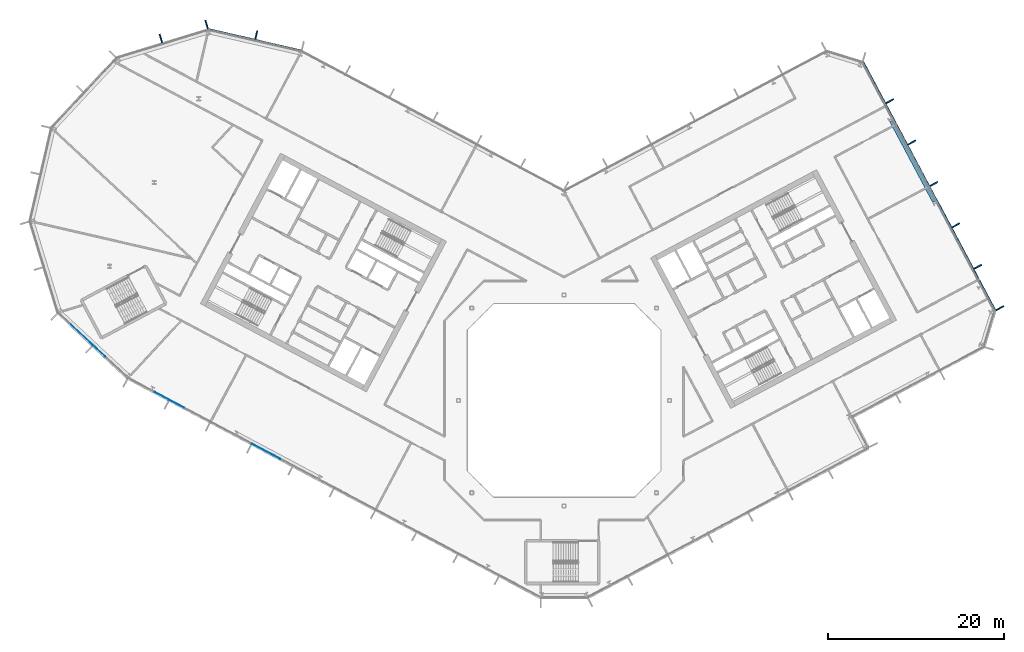
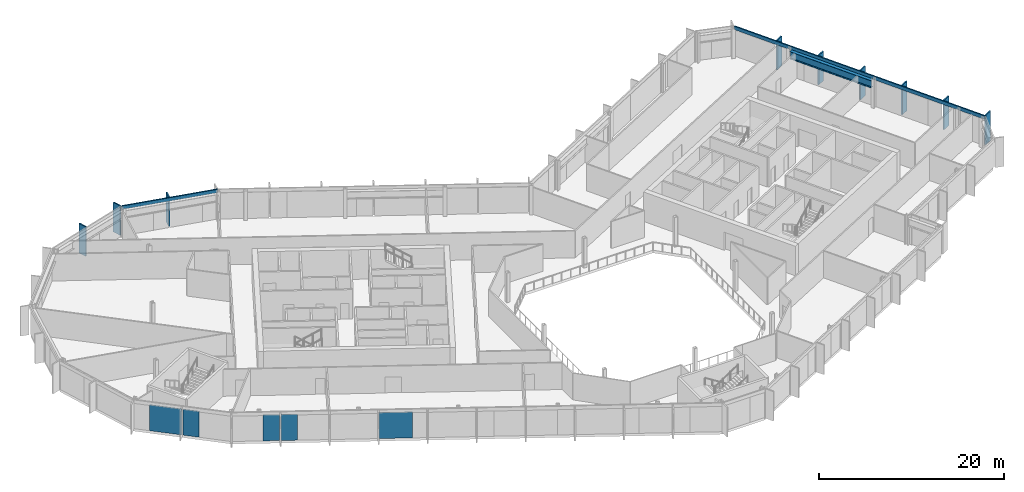
# One storey, part 10 of 26: 11 members, 5 plates, 1 beam, 5 elements without a shape of their own.
"""IFC4 building model written with IfcOpenShell, lengths in metres."""

import ifcopenshell
import ifcopenshell.guid

model = None  # the IFC model being written
_history = None  # IfcOwnerHistory: only IFC2X3 demands one
_inside = {}  # id of a spatial element -> (the spatial element, [elements in it])
_under = {}  # id of a project, library or spatial element -> (it, [spatial elements below it])
_declared = {}  # id of a project -> (the project, [libraries it declares])
_typed = {}  # id of a type object -> (the type object, [elements of that type])
_made_of = {}  # id of a material, layer set ... -> (it, [elements and type objects made of it])


def new_model(schema):
    """Start an empty IFC model of exactly this schema.

    Asked for "IFC4X3", IfcOpenShell would pick the latest addendum, in which some entities
    have other attributes; the version numbers below select the first issue.
    IFC2X3 requires an IfcOwnerHistory on every rooted entity: one is made here for all.
    """
    global model, _history
    if schema == "IFC4X3":
        model = ifcopenshell.file(schema_version=(4, 3, 0, 0))
    else:
        model = ifcopenshell.file(schema=schema)
    _inside.clear()
    _under.clear()
    _declared.clear()
    _typed.clear()
    _made_of.clear()
    _history = None
    if model.schema == "IFC2X3":
        org = make("IfcOrganization", Name="unknown")
        user = make(
            "IfcPersonAndOrganization",
            ThePerson=make("IfcPerson", FamilyName="unknown"),
            TheOrganization=org,
        )
        app = make(
            "IfcApplication",
            ApplicationDeveloper=org,
            Version="unknown",
            ApplicationFullName="unknown",
            ApplicationIdentifier="unknown",
        )
        _history = make(
            "IfcOwnerHistory",
            OwningUser=user,
            OwningApplication=app,
            ChangeAction="ADDED",
            CreationDate=0,
        )
    return model


def make(cls, **values):
    """One entity of the class cls with the attributes given. An attribute that is None is left unset."""
    return model.create_entity(
        cls, **{name: value for name, value in values.items() if value is not None}
    )


def rooted(cls, **values):
    """An entity with a GlobalId (a new one), such as an element, a storey or a relation."""
    return make(cls, GlobalId=ifcopenshell.guid.new(), OwnerHistory=_history, **values)


def si_unit(unit_type, name, prefix=None):
    """IfcSIUnit, for example si_unit("LENGTHUNIT", "METRE", prefix="MILLI")."""
    return make("IfcSIUnit", UnitType=unit_type, Prefix=prefix, Name=name)


def assignment(units):
    """IfcUnitAssignment: the units of a project."""
    return None if units is None else make("IfcUnitAssignment", Units=units)


def point(xyz):
    """IfcCartesianPoint."""
    return None if xyz is None else make("IfcCartesianPoint", Coordinates=xyz)


def direction(xyz):
    """IfcDirection."""
    return None if xyz is None else make("IfcDirection", DirectionRatios=xyz)


def frame(location, z_axis=None, x_axis=None):
    """IfcAxis2Placement3D, a coordinate frame: its origin and axes. An axis left out is left unset."""
    return make(
        "IfcAxis2Placement3D",
        Location=point(location),
        Axis=direction(z_axis),
        RefDirection=direction(x_axis),
    )


def frame_2d(location, x_axis=None):
    """IfcAxis2Placement2D, a coordinate frame in the plane: its origin and x axis."""
    return make(
        "IfcAxis2Placement2D", Location=point(location), RefDirection=direction(x_axis)
    )


def origin():
    """The frame at (0, 0, 0) with its axes left unset."""
    return frame((0.0, 0.0, 0.0))


def origin_2d():
    """The frame at (0, 0) in the plane with its x axis left unset."""
    return frame_2d((0.0, 0.0))


def place(relative_to, where):
    """IfcLocalPlacement: puts the frame where relative to a parent placement (None: the world)."""
    return make(
        "IfcLocalPlacement", PlacementRelTo=relative_to, RelativePlacement=where
    )


def context(
    kind, dimensions, precision=None, world=None, true_north=None, identifier=None
):
    """IfcGeometricRepresentationContext, for example the 3D "Model" context."""
    return make(
        "IfcGeometricRepresentationContext",
        ContextIdentifier=identifier,
        ContextType=kind,
        CoordinateSpaceDimension=dimensions,
        Precision=precision,
        WorldCoordinateSystem=world,
        TrueNorth=true_north,
    )


def subcontext(parent, identifier, kind, view, scale=None):
    """IfcGeometricRepresentationSubContext, for example "Body" below "Model"."""
    return make(
        "IfcGeometricRepresentationSubContext",
        ContextIdentifier=identifier,
        ContextType=kind,
        ParentContext=parent,
        TargetScale=scale,
        TargetView=view,
    )


def project(units=None, contexts=None):
    """IfcProject with its units and contexts."""
    return rooted(
        "IfcProject",
        Name="project",
        RepresentationContexts=contexts,
        UnitsInContext=assignment(units),
    )


def spatial(cls, under=None, at=None, **own):
    """A site, building, storey or space (cls), placed at a placement, below another one or the project."""
    s = rooted(cls, ObjectPlacement=at, **own)
    if under is not None:
        _under.setdefault(under.id(), (under, []))[1].append(s)
    return s


def profile(cls, at=None, kind="AREA", **sizes):
    """A parametric profile (cls). Its sizes go by their IFC names, for example OverallWidth=200.0."""
    return make(cls, ProfileType=kind, Position=at, **sizes)


def rectangle(**sizes):
    """IfcRectangleProfileDef."""
    return profile("IfcRectangleProfileDef", **sizes)


def i_section(**sizes):
    """IfcIShapeProfileDef."""
    return profile("IfcIShapeProfileDef", **sizes)


def extrude(swept, where, along, depth):
    """IfcExtrudedAreaSolid: the profile swept, set in the frame where, extruded along a direction by depth."""
    return make(
        "IfcExtrudedAreaSolid",
        SweptArea=swept,
        Position=where,
        ExtrudedDirection=direction(along),
        Depth=depth,
    )


def shape(context_of_items, identifier, shape_type, items):
    """IfcShapeRepresentation: the items that make up one representation, for example the "Body"."""
    return make(
        "IfcShapeRepresentation",
        ContextOfItems=context_of_items,
        RepresentationIdentifier=identifier,
        RepresentationType=shape_type,
        Items=items,
    )


def material(Name=None, Category=None):
    """IfcMaterial."""
    return make("IfcMaterial", Name=Name, Category=Category)


def layer(
    of_material, thickness, ventilated=None, Name=None, Category=None, Priority=None
):
    """IfcMaterialLayer: one layer of a wall or slab, of a material (None: an air gap)."""
    return make(
        "IfcMaterialLayer",
        Material=of_material,
        LayerThickness=thickness,
        IsVentilated=ventilated,
        Name=Name,
        Category=Category,
        Priority=Priority,
    )


def layer_set(layers, Name=None):
    """IfcMaterialLayerSet."""
    return make("IfcMaterialLayerSet", MaterialLayers=layers, LayerSetName=Name)


def material_profile(
    of_material, cross_section, Name=None, Category=None, Priority=None
):
    """IfcMaterialProfile: a cross section and its material."""
    return make(
        "IfcMaterialProfile",
        Name=Name,
        Material=of_material,
        Profile=cross_section,
        Priority=Priority,
        Category=Category,
    )


def profile_set(profiles, Name=None, composite=None):
    """IfcMaterialProfileSet."""
    return make(
        "IfcMaterialProfileSet",
        Name=Name,
        MaterialProfiles=profiles,
        CompositeProfile=composite,
    )


def made_of(thing, what):
    """Note that an element or type object is made of a material, layer set ...; save() writes the relation."""
    if what is not None:
        _made_of.setdefault(what.id(), (what, []))[1].append(thing)
    return thing


def type_object(cls, material=None, **own):
    """A type object (cls), such as IfcWallType, which elements share."""
    return made_of(rooted(cls, **own), material)


def element(
    cls,
    number,
    at=None,
    inside=None,
    cuts=None,
    type_object=None,
    material=None,
    context=None,
    identifier="Body",
    shape_type=None,
    held_by="IfcProductDefinitionShape",
    body=None,
    shapes=None,
    **own,
):
    """One element of the class cls, such as IfcWall. Its Tag is "e" and its number.

    at: its placement. inside: the storey or other place that contains it. cuts: it is an
    opening in that element (IfcRelVoidsElement). A single representation is given by context,
    identifier, shape_type and body (its items); several are given by shapes. held_by: the class
    of the entity that holds the representations. save() writes the other relations.
    """
    e = rooted(cls, Tag="e%d" % number, ObjectPlacement=at, **own)
    if body is not None:
        shapes = [shape(context, identifier, shape_type, body)]
    if shapes is not None:
        e.Representation = make(held_by, Representations=shapes)
    if inside is not None:
        _inside.setdefault(inside.id(), (inside, []))[1].append(e)
    if cuts is not None:
        rooted(
            "IfcRelVoidsElement", RelatingBuildingElement=cuts, RelatedOpeningElement=e
        )
    if type_object is not None:
        _typed.setdefault(type_object.id(), (type_object, []))[1].append(e)
    return made_of(e, material)


def aggregate(whole, parts):
    """IfcRelAggregates: a whole, such as a stair, and the parts it consists of."""
    return rooted("IfcRelAggregates", RelatingObject=whole, RelatedObjects=parts)


def save(model, path):
    """Write the relations noted so far, then the file.

    IfcRelAggregates (storeys below a building ...), IfcRelContainedInSpatialStructure (elements
    in a storey), IfcRelDefinesByType, IfcRelAssociatesMaterial and IfcRelDeclares: one each for
    every whole, place, type object, material and project.
    """
    for whole, parts in _under.values():
        aggregate(whole, parts)
    for where, things in _inside.values():
        rooted(
            "IfcRelContainedInSpatialStructure",
            RelatedElements=things,
            RelatingStructure=where,
        )
    for kind, things in _typed.values():
        rooted("IfcRelDefinesByType", RelatedObjects=things, RelatingType=kind)
    for what, things in _made_of.values():
        rooted("IfcRelAssociatesMaterial", RelatedObjects=things, RelatingMaterial=what)
    for by, libraries in _declared.values():
        rooted("IfcRelDeclares", RelatingContext=by, RelatedDefinitions=libraries)
    model.write(path)


model = new_model("IFC4")

# Units and contexts
model_context = context("Model", 3, precision=1e-05, world=origin(), true_north=direction((0.0, 1.0)))
body_context = subcontext(model_context, "Body", "Model", "MODEL_VIEW")
ifc_project = project(units=[si_unit("LENGTHUNIT", "METRE"), si_unit("AREAUNIT", "SQUARE_METRE"), si_unit("VOLUMEUNIT", "CUBIC_METRE"), si_unit("PLANEANGLEUNIT", "RADIAN"), si_unit("MASSUNIT", "GRAM", prefix="KILO")], contexts=[model_context])

# Site, building, storey
site_placement = place(None, origin())
site = spatial("IfcSite", under=ifc_project, at=site_placement, CompositionType="ELEMENT")
building_placement = place(site_placement, origin())
building = spatial("IfcBuilding", under=site, at=building_placement, Name="Cormorant Relay Tower", CompositionType="ELEMENT")
storey_placement = place(building_placement, frame((0.0, 0.0, 244.199951171875)))
storey = spatial("IfcBuildingStorey", under=building, at=storey_placement, Name="L54", CompositionType="ELEMENT", Elevation=244.199951171875)

# Curtain wall, members
ifc_material_1 = material(Name="Aluminium 6063-T6 anodised bronze", Category="aluminium")
ifc_layer_1 = layer(ifc_material_1, 0.199951171875)
ifc_layer_set_1 = layer_set([ifc_layer_1], Name="CW1 unitised bronze curtain wall with vertical fins")
curtain_wall_type = type_object("IfcCurtainWallType", Name="CW1 unitised bronze curtain wall with vertical fins", PredefinedType="NOTDEFINED", material=ifc_layer_set_1)
curtain_wall_1_placement = place(storey_placement, origin())
curtain_wall_1 = element("IfcCurtainWall", 1, at=curtain_wall_1_placement, inside=storey, type_object=curtain_wall_type, Name="CW1 curtain wall 6", PredefinedType="NOTDEFINED")
ifc_material_2 = material(Name="Aluminium 6063-T6 anodised bronze", Category="aluminium")
ifc_material_profile_1 = material_profile(ifc_material_2, rectangle(XDim=0.14990234375, YDim=1.0, at=origin_2d()), Name="AL 150x1000")
ifc_profile_set_1 = profile_set([ifc_material_profile_1], Name="Aluminium 6063-T6 anodised bronze")
member_type_1 = type_object("IfcMemberType", Name="CW1 bronze fin mullion 150 x 1000", PredefinedType="MULLION", material=ifc_profile_set_1)
member_1_placement = place(storey_placement, frame((49.572021484375, 10.501953125, 0.0), z_axis=(0.0, 0.0, 1.0), x_axis=(-0.469471562786, 0.882947592859, 0.0)))
member_1 = element("IfcMember", 2, at=member_1_placement, type_object=member_type_1, Name="CW1 fin 6.1", PredefinedType="MULLION", context=body_context, shape_type="SweptSolid", body=[
    extrude(rectangle(XDim=0.14990234375, YDim=1.0, at=origin_2d()), origin(), (0.0, 0.0, 1.0), 3.900146484375),
])
member_2_placement = place(storey_placement, frame((47.068359375, 15.211181640625, 0.0), z_axis=(0.0, 0.0, 1.0), x_axis=(-0.469471562786, 0.882947592859, 0.0)))
member_2 = element("IfcMember", 3, at=member_2_placement, type_object=member_type_1, Name="CW1 fin 6.2", PredefinedType="MULLION", context=body_context, shape_type="SweptSolid", body=[
    extrude(rectangle(XDim=0.14990234375, YDim=1.0, at=origin_2d()), origin(), (0.0, 0.0, 1.0), 3.900146484375),
])
member_3_placement = place(storey_placement, frame((44.564453125, 19.920166015625, 0.0), z_axis=(0.0, 0.0, 1.0), x_axis=(-0.469471562786, 0.882947592859, 0.0)))
member_3 = element("IfcMember", 4, at=member_3_placement, type_object=member_type_1, Name="CW1 fin 6.3", PredefinedType="MULLION", context=body_context, shape_type="SweptSolid", body=[
    extrude(rectangle(XDim=0.14990234375, YDim=1.0, at=origin_2d()), origin(), (0.0, 0.0, 1.0), 3.900146484375),
])
member_4_placement = place(storey_placement, frame((42.060546875, 24.629150390625, 0.0), z_axis=(0.0, 0.0, 1.0), x_axis=(-0.469471562786, 0.882947592859, 0.0)))
member_4 = element("IfcMember", 5, at=member_4_placement, type_object=member_type_1, Name="CW1 fin 6.4", PredefinedType="MULLION", context=body_context, shape_type="SweptSolid", body=[
    extrude(rectangle(XDim=0.14990234375, YDim=1.0, at=origin_2d()), origin(), (0.0, 0.0, 1.0), 3.900146484375),
])
member_5_placement = place(storey_placement, frame((39.556884765625, 29.338134765625, 0.0), z_axis=(0.0, 0.0, 1.0), x_axis=(-0.469471562786, 0.882947592859, 0.0)))
member_5 = element("IfcMember", 6, at=member_5_placement, type_object=member_type_1, Name="CW1 fin 6.5", PredefinedType="MULLION", context=body_context, shape_type="SweptSolid", body=[
    extrude(rectangle(XDim=0.14990234375, YDim=1.0, at=origin_2d()), origin(), (0.0, 0.0, 1.0), 3.900146484375),
])
member_6_placement = place(storey_placement, frame((37.052978515625, 34.04736328125, 0.0), z_axis=(0.0, 0.0, 1.0), x_axis=(-0.469471562786, 0.882947592859, 0.0)))
member_6 = element("IfcMember", 7, at=member_6_placement, type_object=member_type_1, Name="CW1 fin 6.6", PredefinedType="MULLION", context=body_context, shape_type="SweptSolid", body=[
    extrude(rectangle(XDim=0.14990234375, YDim=1.0, at=origin_2d()), origin(), (0.0, 0.0, 1.0), 3.900146484375),
])

# Curtain wall, member
curtain_wall_2_placement = place(storey_placement, origin())
curtain_wall_2 = element("IfcCurtainWall", 8, at=curtain_wall_2_placement, inside=storey, type_object=curtain_wall_type, Name="CW1 curtain wall 10", PredefinedType="NOTDEFINED")
member_7_placement = place(storey_placement, frame((-35.01220703125, 41.57275390625, 0.0), z_axis=(0.0, 0.0, 1.0), x_axis=(-0.974370064785, 0.224951054344, 0.0)))
member_7 = element("IfcMember", 9, at=member_7_placement, type_object=member_type_1, Name="CW1 fin 10.2", PredefinedType="MULLION", context=body_context, shape_type="SweptSolid", body=[
    extrude(rectangle(XDim=0.14990234375, YDim=1.0, at=origin_2d()), origin(), (0.0, 0.0, 1.0), 3.900146484375),
])

# Curtain wall, members
curtain_wall_3_placement = place(storey_placement, origin())
curtain_wall_3 = element("IfcCurtainWall", 10, at=curtain_wall_3_placement, inside=storey, type_object=curtain_wall_type, Name="CW1 curtain wall 11", PredefinedType="NOTDEFINED")
member_8_placement = place(storey_placement, frame((-40.670166015625, 42.78271484375, 0.0), z_axis=(0.0, 0.0, 1.0), x_axis=(-0.956304755963, -0.292371704723, 0.0)))
member_8 = element("IfcMember", 11, at=member_8_placement, type_object=member_type_1, Name="CW1 fin 11.1", PredefinedType="MULLION", context=body_context, shape_type="SweptSolid", body=[
    extrude(rectangle(XDim=0.14990234375, YDim=1.0, at=origin_2d()), origin(), (0.0, 0.0, 1.0), 3.900146484375),
])
member_9_placement = place(storey_placement, frame((-45.867919921875, 41.193603515625, 0.0), z_axis=(0.0, 0.0, 1.0), x_axis=(-0.956304755963, -0.292371704723, 0.0)))
member_9 = element("IfcMember", 12, at=member_9_placement, type_object=member_type_1, Name="CW1 fin 11.2", PredefinedType="MULLION", context=body_context, shape_type="SweptSolid", body=[
    extrude(rectangle(XDim=0.14990234375, YDim=1.0, at=origin_2d()), origin(), (0.0, 0.0, 1.0), 3.900146484375),
])
aggregate(curtain_wall_3, [member_8, member_9])

# Member
ifc_material_3 = material(Name="Aluminium 6063-T6 anodised bronze", Category="aluminium")
ifc_material_profile_2 = material_profile(ifc_material_3, rectangle(XDim=0.159912109375, YDim=0.449951171875, at=origin_2d()), Name="AL 160x450")
ifc_profile_set_2 = profile_set([ifc_material_profile_2], Name="Aluminium 6063-T6 anodised bronze")
member_type_2 = type_object("IfcMemberType", Name="CW1 bronze transom 160 x 450", PredefinedType="USERDEFINED", material=ifc_profile_set_2)
member_10_placement = place(storey_placement, frame((49.06005859375, 10.229736328125, 3.675048828125), z_axis=(-0.46947036835, 0.882948227951, 0.0), x_axis=(-0.882948227951, -0.46947036835, 0.0)))
member_10 = element("IfcMember", 13, at=member_10_placement, type_object=member_type_2, Name="CW1 transom 6", ObjectType="TRANSOM", PredefinedType="USERDEFINED", context=body_context, shape_type="SweptSolid", body=[
    extrude(rectangle(XDim=0.159912109375, YDim=0.449951171875, at=origin_2d()), origin(), (0.0, 0.0, 1.0), 31.999755859375),
])

aggregate(curtain_wall_1, [member_1, member_2, member_3, member_4, member_5, member_6, member_10])

member_11_placement = place(storey_placement, frame((-29.8466796875, 39.784912109375, 3.675048828125), z_axis=(-0.974365070969, 0.224972683844, 0.0), x_axis=(-0.224972683844, -0.974365070969, 0.0)))
member_11 = element("IfcMember", 14, at=member_11_placement, type_object=member_type_2, Name="CW1 transom 10", ObjectType="TRANSOM", PredefinedType="USERDEFINED", context=body_context, shape_type="SweptSolid", body=[
    extrude(rectangle(XDim=0.159912109375, YDim=0.449951171875, at=origin_2d()), origin(), (0.0, 0.0, 1.0), 10.870361328125),
])

aggregate(curtain_wall_2, [member_7, member_11])

# Beam
ifc_material_4 = material(Name="Steel ASTM A992 (Fy 345 MPa)", Category="steel")
ifc_material_profile_3 = material_profile(ifc_material_4, i_section(OverallWidth=0.4013671875, OverallDepth=0.990478515625, WebThickness=0.0166015625, FlangeThickness=0.031005859375, FilletRadius=0.030029296875, at=origin_2d()), Name="W1000x320")
ifc_profile_set_3 = profile_set([ifc_material_profile_3], Name="Steel ASTM A992 (Fy 345 MPa)")
beam_type = type_object("IfcBeamType", Name="Spandrel W1000x320", PredefinedType="SPANDREL", material=ifc_profile_set_3)
beam_placement = place(storey_placement, frame((42.109619140625, 22.61865234375, 3.044677734375), z_axis=(-0.469476269233, 0.882945090381, 0.0), x_axis=(-0.882945090381, -0.469476269233, 0.0)))
element("IfcBeam", 15, at=beam_placement, inside=storey, type_object=beam_type, Name="Spandrel beam L54-006", PredefinedType="SPANDREL", context=body_context, shape_type="SweptSolid", body=[
    extrude(i_section(OverallWidth=0.4013671875, OverallDepth=0.990478515625, WebThickness=0.0166015625, FlangeThickness=0.031005859375, FilletRadius=0.030029296875, at=origin_2d()), origin(), (0.0, 0.0, 1.0), 10.396484375),
])

# Curtain wall, plate
curtain_wall_4_placement = place(storey_placement, origin())
curtain_wall_4 = element("IfcCurtainWall", 16, at=curtain_wall_4_placement, inside=storey, type_object=curtain_wall_type, Name="CW1 curtain wall 15", PredefinedType="NOTDEFINED")
ifc_material_5 = material(Name="Tinted laminated glass", Category="glass")
ifc_layer_2 = layer(ifc_material_5, 0.0400390625)
ifc_layer_set_2 = layer_set([ifc_layer_2], Name="CW1 tinted vision panel 1800 module")
plate_type_1 = type_object("IfcPlateType", Name="CW1 tinted vision panel 1800 module", PredefinedType="CURTAIN_PANEL", material=ifc_layer_set_2)
plate_1_placement = place(storey_placement, frame((-52.8671875, 5.611572265625, 0.0), z_axis=(0.0, 0.0, 1.0), x_axis=(0.731353701619, -0.681998360062, 0.0)))
plate_1 = element("IfcPlate", 17, at=plate_1_placement, type_object=plate_type_1, Name="CW1 panel V02", PredefinedType="CURTAIN_PANEL", context=body_context, shape_type="SweptSolid", body=[
    extrude(rectangle(XDim=1.800048828125, YDim=0.0400390625, at=origin_2d()), origin(), (0.0, 0.0, 1.0), 3.449951171875),
])

# Curtain wall, plates
curtain_wall_5_placement = place(storey_placement, origin())
curtain_wall_5 = element("IfcCurtainWall", 18, at=curtain_wall_5_placement, inside=storey, type_object=curtain_wall_type, Name="CW1 curtain wall 16", PredefinedType="NOTDEFINED")
plate_2_placement = place(storey_placement, frame((-45.767578125, 0.5283203125, 0.0), z_axis=(0.0, 0.0, 1.0), x_axis=(0.882947592859, -0.469471562786, 0.0)))
plate_2 = element("IfcPlate", 19, at=plate_2_placement, type_object=plate_type_1, Name="CW1 panel V01", PredefinedType="CURTAIN_PANEL", context=body_context, shape_type="SweptSolid", body=[
    extrude(rectangle(XDim=1.800048828125, YDim=0.0400390625, at=origin_2d()), origin(), (0.0, 0.0, 1.0), 3.449951171875),
])
plate_3_placement = place(storey_placement, frame((-44.0458984375, -0.38720703125, 0.0), z_axis=(0.0, 0.0, 1.0), x_axis=(0.882947592859, -0.469471562786, 0.0)))
plate_3 = element("IfcPlate", 20, at=plate_3_placement, type_object=plate_type_1, Name="CW1 panel V02", PredefinedType="CURTAIN_PANEL", context=body_context, shape_type="SweptSolid", body=[
    extrude(rectangle(XDim=1.800048828125, YDim=0.0400390625, at=origin_2d()), origin(), (0.0, 0.0, 1.0), 3.449951171875),
])

# Plate
ifc_material_6 = material(Name="Tinted laminated glass", Category="glass")
ifc_layer_3 = layer(ifc_material_6, 0.0400390625)
ifc_layer_set_3 = layer_set([ifc_layer_3], Name="CW1 tinted vision panel 3600 module")
plate_type_2 = type_object("IfcPlateType", Name="CW1 tinted vision panel 3600 module", PredefinedType="CURTAIN_PANEL", material=ifc_layer_set_3)
plate_4_placement = place(storey_placement, frame((-54.951416015625, 7.55517578125, 0.0), z_axis=(0.0, 0.0, 1.0), x_axis=(0.731353701619, -0.681998360062, 0.0)))
plate_4 = element("IfcPlate", 21, at=plate_4_placement, type_object=plate_type_2, Name="CW1 panel V01", PredefinedType="CURTAIN_PANEL", context=body_context, shape_type="SweptSolid", body=[
    extrude(rectangle(XDim=3.60009765625, YDim=0.0400390625, at=origin_2d()), origin(), (0.0, 0.0, 1.0), 3.449951171875),
])

aggregate(curtain_wall_4, [plate_4, plate_1])

plate_5_placement = place(storey_placement, frame((-33.862548828125, -5.801513671875, 0.0), z_axis=(0.0, 0.0, 1.0), x_axis=(0.882947592859, -0.469471562786, 0.0)))
plate_5 = element("IfcPlate", 22, at=plate_5_placement, type_object=plate_type_2, Name="CW1 panel V04", PredefinedType="CURTAIN_PANEL", context=body_context, shape_type="SweptSolid", body=[
    extrude(rectangle(XDim=3.60009765625, YDim=0.0400390625, at=origin_2d()), origin(), (0.0, 0.0, 1.0), 3.449951171875),
])

aggregate(curtain_wall_5, [plate_2, plate_3, plate_5])

save(model, "model.ifc")
